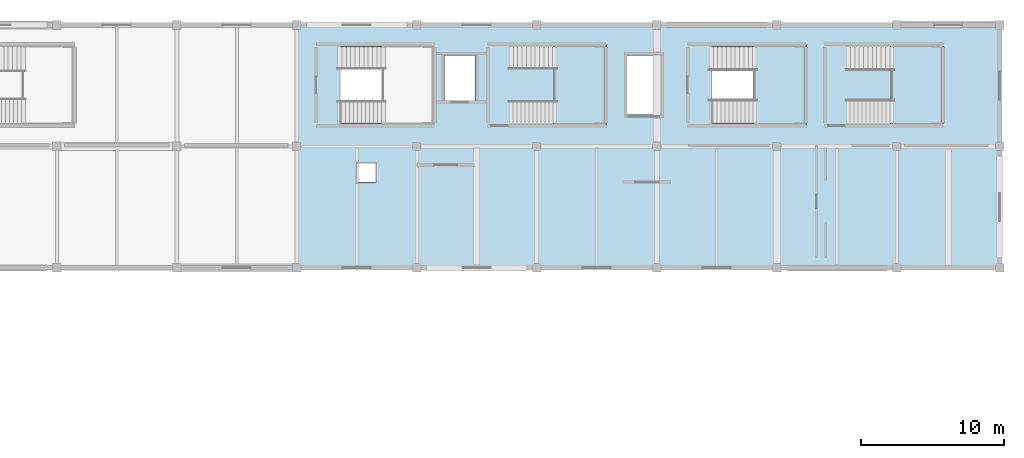
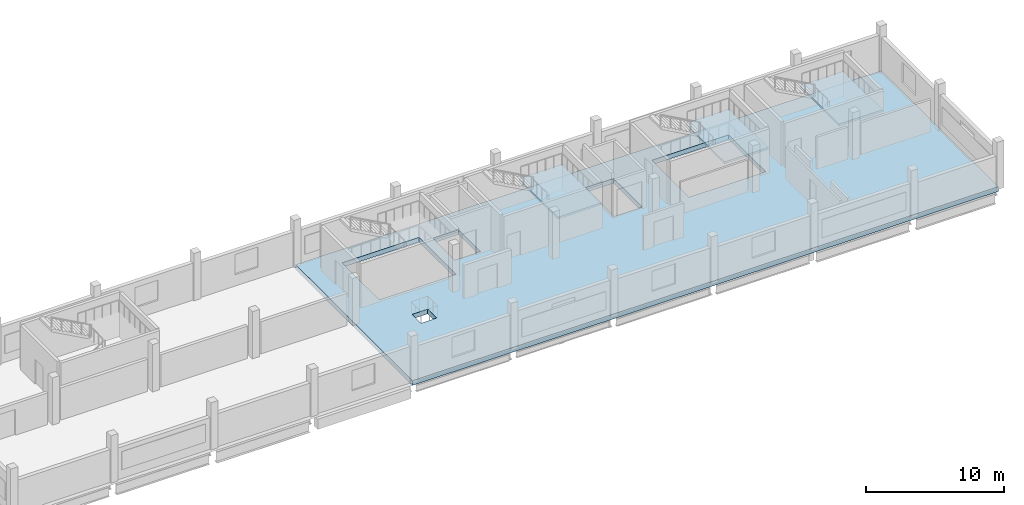
# One storey, part 37 of 52: 4 slabs, 3 elements without a shape of their own.
"""IFC4 building model written with IfcOpenShell, lengths in metres."""

from ifc_helpers import new_model, si_unit, direction, frame, origin, place, context, subcontext, project, spatial, polyline, outline, extrude, material, layer, layer_set, type_object, element, aggregate, save


model = new_model("IFC4")

# Units and contexts
model_context = context("Model", 3, precision=1e-05, world=origin(), true_north=direction((0.0, 1.0)))
body_context = subcontext(model_context, "Body", "Model", "MODEL_VIEW")
ifc_project = project(units=[si_unit("LENGTHUNIT", "METRE"), si_unit("AREAUNIT", "SQUARE_METRE"), si_unit("VOLUMEUNIT", "CUBIC_METRE"), si_unit("PLANEANGLEUNIT", "RADIAN"), si_unit("MASSUNIT", "GRAM", prefix="KILO")], contexts=[model_context])

# Site, building, storey
site_placement = place(None, origin())
site = spatial("IfcSite", under=ifc_project, at=site_placement, CompositionType="ELEMENT")
building_placement = place(site_placement, origin())
building = spatial("IfcBuilding", under=site, at=building_placement, Name="Solvento Point Concert Hall", CompositionType="ELEMENT")
storey_placement = place(building_placement, frame((0.0, 0.0, 19.5)))
storey = spatial("IfcBuildingStorey", under=building, at=storey_placement, Name="L04", CompositionType="ELEMENT", Elevation=19.5)

# Slab
ifc_material_1 = material(Name="Concrete C40/50", Category="concrete")
ifc_layer_1 = layer(ifc_material_1, 0.419921875)
ifc_layer_set_1 = layer_set([ifc_layer_1], Name="Concrete C40/50")
slab_type_1 = type_object("IfcSlabType", Name="FloorSlab_400_Hall", PredefinedType="FLOOR", material=ifc_layer_set_1)
slab_1_placement = place(storey_placement, frame((0.0, 0.0, -0.419921875)))
element("IfcSlab", 1, at=slab_1_placement, inside=storey, type_object=slab_type_1, Name="Structural slab SL-AC1 SLAB-L04-V5N", PredefinedType="FLOOR", context=body_context, shape_type="SweptSolid", body=[
    extrude(outline(polyline([(166.800048828125, 136.0), (216.0, 136.0), (216.0, 119.0), (166.800048828125, 119.0), (166.800048828125, 136.0)]), holes=[polyline([(202.300048828125, 129.10009765625), (202.300048828125, 134.5), (195.85009765625, 134.5), (195.85009765625, 129.10009765625), (202.300048828125, 129.10009765625)]), polyline([(192.280029296875, 133.8798828125), (189.919921875, 133.8798828125), (189.919921875, 129.719970703125), (192.280029296875, 129.719970703125), (192.280029296875, 133.8798828125)]), polyline([(179.280029296875, 130.719970703125), (179.280029296875, 133.8798828125), (177.1201171875, 133.8798828125), (177.1201171875, 130.719970703125), (179.280029296875, 130.719970703125)]), polyline([(176.300048828125, 134.5), (169.85009765625, 134.5), (169.85009765625, 129.10009765625), (176.300048828125, 129.10009765625), (176.300048828125, 134.5)]), polyline([(172.300048828125, 126.300048828125), (171.0, 126.300048828125), (171.0, 125.0), (172.300048828125, 125.0), (172.300048828125, 126.300048828125)])]), origin(), (0.0, 0.0, 1.0), 0.419921875),
])

# Stair, slab
ifc_material_2 = material(Name="Concrete C35/45", Category="concrete")
stair_type_1 = type_object("IfcStairType", Name="CoreStair_1680", PredefinedType="HALF_TURN_STAIR", material=ifc_material_2)
stair_1_placement = place(storey_placement, origin())
stair_1 = element("IfcStair", 2, at=stair_1_placement, inside=storey, type_object=stair_type_1, Name="Protected exit stair ST-02 (L04 to L05)", PredefinedType="HALF_TURN_STAIR")
ifc_material_3 = material(Name="Concrete C35/45", Category="concrete")
ifc_layer_2 = layer(ifc_material_3, 0.179931640625)
ifc_layer_set_2 = layer_set([ifc_layer_2], Name="Concrete C35/45")
slab_type_2 = type_object("IfcSlabType", Name="StairLanding_180", PredefinedType="LANDING", material=ifc_layer_set_2)
slab_2_placement = place(storey_placement, frame((0.0, 0.0, 2.00390625)))
slab_2 = element("IfcSlab", 3, at=slab_2_placement, type_object=slab_type_2, Name="Stair half-landing ST-02 L04", PredefinedType="LANDING", context=body_context, shape_type="SweptSolid", body=[
    extrude(outline(polyline([(198.760009765625, 128.9599609375), (202.43994140625, 128.9599609375), (202.43994140625, 134.639892578125), (198.760009765625, 134.639892578125), (198.760009765625, 128.9599609375)])), origin(), (0.0, 0.0, 1.0), 0.18017578125),
])
aggregate(stair_1, [slab_2])

ifc_material_4 = material(Name="Concrete C35/45", Category="concrete")
stair_type_2 = type_object("IfcStairType", Name="CoreStair_1600", PredefinedType="HALF_TURN_STAIR", material=ifc_material_4)
stair_2_placement = place(storey_placement, origin())
stair_2 = element("IfcStair", 4, at=stair_2_placement, inside=storey, type_object=stair_type_2, Name="Protected exit stair ST-10 (L04 to L05)", PredefinedType="HALF_TURN_STAIR")
slab_3_placement = place(storey_placement, frame((0.0, 0.0, 2.00390625)))
slab_3 = element("IfcSlab", 5, at=slab_3_placement, type_object=slab_type_2, Name="Stair half-landing ST-10 L04", PredefinedType="LANDING", context=body_context, shape_type="SweptSolid", body=[
    extrude(outline(polyline([(184.760009765625, 128.9599609375), (188.43994140625, 128.9599609375), (188.43994140625, 134.639892578125), (184.760009765625, 134.639892578125), (184.760009765625, 128.9599609375)])), origin(), (0.0, 0.0, 1.0), 0.18017578125),
])
aggregate(stair_2, [slab_3])

stair_3_placement = place(storey_placement, origin())
stair_3 = element("IfcStair", 6, at=stair_3_placement, inside=storey, type_object=stair_type_1, Name="Protected exit stair ST-11 (L04 to L05)", PredefinedType="HALF_TURN_STAIR")
slab_4_placement = place(storey_placement, frame((0.0, 0.0, 2.00390625)))
slab_4 = element("IfcSlab", 7, at=slab_4_placement, type_object=slab_type_2, Name="Stair half-landing ST-11 L04", PredefinedType="LANDING", context=body_context, shape_type="SweptSolid", body=[
    extrude(outline(polyline([(208.360107421875, 128.9599609375), (212.0400390625, 128.9599609375), (212.0400390625, 134.639892578125), (208.360107421875, 134.639892578125), (208.360107421875, 128.9599609375)])), origin(), (0.0, 0.0, 1.0), 0.18017578125),
])
aggregate(stair_3, [slab_4])

save(model, "model.ifc")
